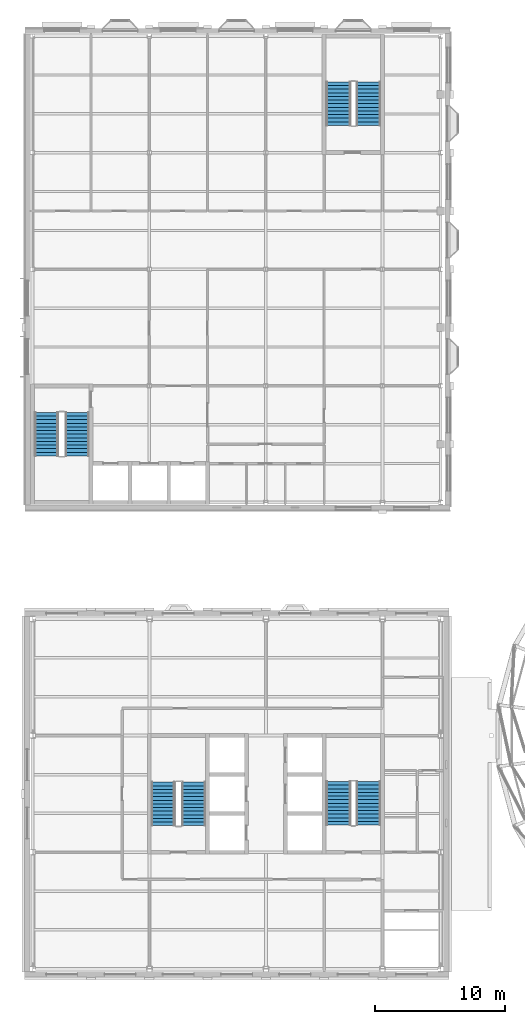
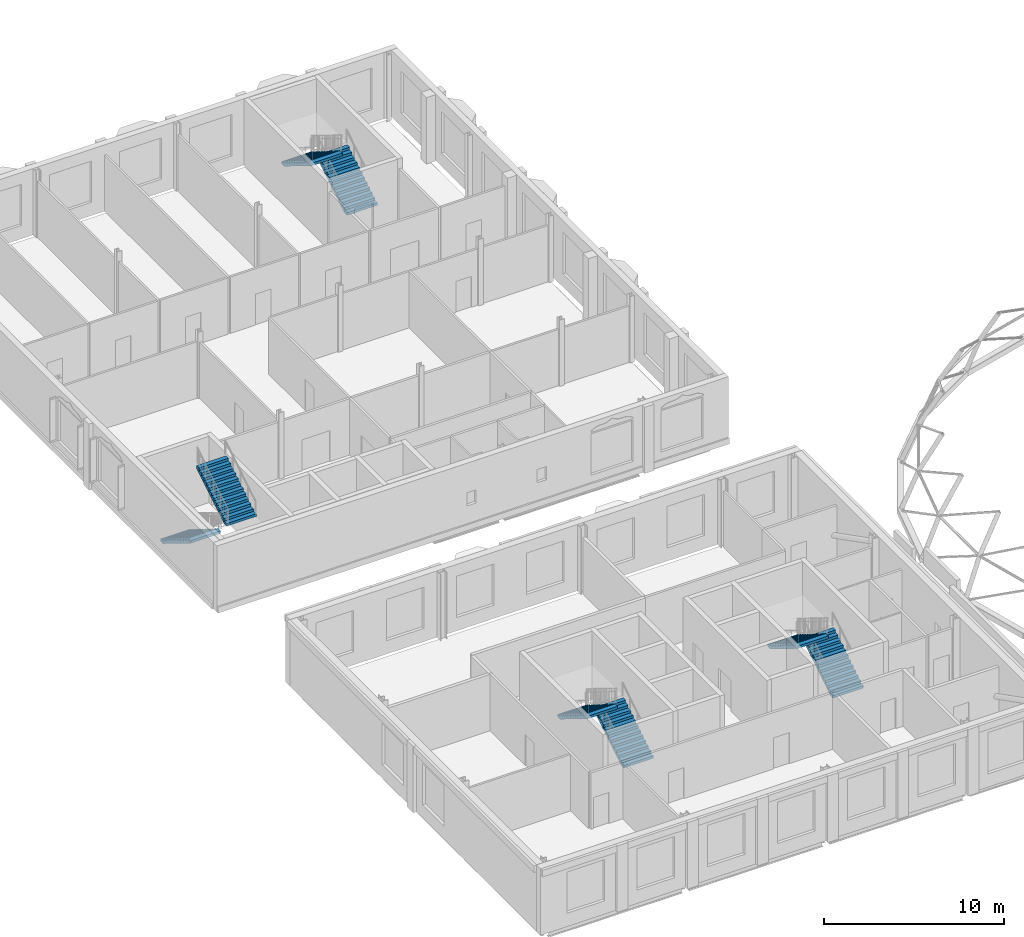
# One storey, part 30 of 59: 8 stair flights, 4 elements without a shape of their own.
"""IFC4 building model written with IfcOpenShell, lengths in metres."""

from ifc_helpers import new_model, si_unit, direction, frame, origin, place, context, subcontext, project, spatial, polyline, outline, extrude, material, layer, layer_set, type_object, element, aggregate, save


model = new_model("IFC4")

# Units and contexts
model_context = context("Model", 3, precision=1e-05, world=origin(), true_north=direction((0.0, 1.0)))
body_context = subcontext(model_context, "Body", "Model", "MODEL_VIEW")
ifc_project = project(units=[si_unit("LENGTHUNIT", "METRE"), si_unit("AREAUNIT", "SQUARE_METRE"), si_unit("VOLUMEUNIT", "CUBIC_METRE"), si_unit("PLANEANGLEUNIT", "RADIAN"), si_unit("MASSUNIT", "GRAM", prefix="KILO")], contexts=[model_context])

# Site, building, storey
site_placement = place(None, origin())
site = spatial("IfcSite", under=ifc_project, at=site_placement, CompositionType="ELEMENT")
building_placement = place(site_placement, origin())
building = spatial("IfcBuilding", under=site, at=building_placement, Name="Hortulan Conservatory and Botanical Research Centre", CompositionType="ELEMENT")
storey_placement = place(building_placement, frame((0.0, 0.0, 10.5)))
storey = spatial("IfcBuildingStorey", under=building, at=storey_placement, Name="L02", CompositionType="ELEMENT", Elevation=10.5)

# Stair, stair flights
ifc_material = material(Name="Concrete N40 (40 MPa, AS 3600)", Category="concrete")
stair_type_1 = type_object("IfcStairType", Name="Concrete Escape Stair 1900", PredefinedType="HALF_TURN_STAIR", material=ifc_material)
stair_1_placement = place(storey_placement, origin())
stair_1 = element("IfcStair", 1, at=stair_1_placement, inside=storey, type_object=stair_type_1, Name="Stair T1 L02", PredefinedType="HALF_TURN_STAIR")
ifc_layer_1 = layer(ifc_material, 0.14990234375)
ifc_layer_set_1 = layer_set([ifc_layer_1], Name="Stair Flight 1900 wide, riser 173")
stair_flight_type_1 = type_object("IfcStairFlightType", Name="Stair Flight 1900 wide, riser 173", PredefinedType="STRAIGHT", material=ifc_layer_set_1)
stair_flight_1_placement = place(storey_placement, frame((12.39990234375, 11.050048828125, 0.0), z_axis=(0.0, 0.0, 1.0), x_axis=(0.0, 1.0, 0.0)))
stair_flight_1 = element("IfcStairFlight", 2, at=stair_flight_1_placement, type_object=stair_flight_type_1, Name="Stair T1 L02 flight 1", NumberOfRisers=13, NumberOfTreads=12, PredefinedType="STRAIGHT", RiserHeight=0.173076923, TreadLength=0.28, context=body_context, shape_type="SweptSolid", body=[
    extrude(outline(polyline([(0.0, 0.0), (0.0, 0.173095703125), (0.280029296875, 0.173095703125), (0.280029296875, 0.34619140625), (0.56005859375, 0.34619140625), (0.56005859375, 0.519287109375), (0.840087890625, 0.519287109375), (0.840087890625, 0.6923828125), (1.1201171875, 0.6923828125), (1.1201171875, 0.865478515625), (1.39990234375, 0.865478515625), (1.39990234375, 1.03857421875), (1.679931640625, 1.03857421875), (1.679931640625, 1.21142578125), (1.9599609375, 1.21142578125), (1.9599609375, 1.384521484375), (2.239990234375, 1.384521484375), (2.239990234375, 1.5576171875), (2.52001953125, 1.5576171875), (2.52001953125, 1.730712890625), (2.800048828125, 1.730712890625), (2.800048828125, 1.90380859375), (3.080078125, 1.90380859375), (3.080078125, 2.076904296875), (3.360107421875, 2.076904296875), (3.360107421875, 2.25), (3.360107421875, 1.900634765625), (0.28515625, 0.0), (0.0, 0.0)])), frame((0.0, 0.949951171875, 0.0), z_axis=(0.0, -1.0, 0.0), x_axis=(1.0, 0.0, 0.0)), (0.0, 0.0, 1.0), 1.89990234375),
])
stair_flight_2_placement = place(storey_placement, frame((10.10009765625, 14.409912109375, 2.25), z_axis=(0.0, 0.0, 1.0), x_axis=(0.0, -1.0, 0.0)))
stair_flight_2 = element("IfcStairFlight", 3, at=stair_flight_2_placement, type_object=stair_flight_type_1, Name="Stair T1 L02 flight 2", NumberOfRisers=13, NumberOfTreads=12, PredefinedType="STRAIGHT", RiserHeight=0.173076923, TreadLength=0.28, context=body_context, shape_type="SweptSolid", body=[
    extrude(outline(polyline([(0.0, 0.0), (0.0, 0.173095703125), (0.280029296875, 0.173095703125), (0.280029296875, 0.34619140625), (0.56005859375, 0.34619140625), (0.56005859375, 0.519287109375), (0.840087890625, 0.519287109375), (0.840087890625, 0.6923828125), (1.1201171875, 0.6923828125), (1.1201171875, 0.865478515625), (1.39990234375, 0.865478515625), (1.39990234375, 1.03857421875), (1.679931640625, 1.03857421875), (1.679931640625, 1.21142578125), (1.9599609375, 1.21142578125), (1.9599609375, 1.384521484375), (2.239990234375, 1.384521484375), (2.239990234375, 1.5576171875), (2.52001953125, 1.5576171875), (2.52001953125, 1.730712890625), (2.800048828125, 1.730712890625), (2.800048828125, 1.90380859375), (3.080078125, 1.90380859375), (3.080078125, 2.076904296875), (3.360107421875, 2.076904296875), (3.360107421875, 2.25), (3.360107421875, 1.900634765625), (0.28515625, 0.0), (0.0, 0.0)])), frame((0.0, 0.949951171875, 0.0), z_axis=(0.0, -1.0, 0.0), x_axis=(1.0, 0.0, 0.0)), (0.0, 0.0, 1.0), 1.89990234375),
])
aggregate(stair_1, [stair_flight_1, stair_flight_2])

stair_2_placement = place(storey_placement, origin())
stair_2 = element("IfcStair", 4, at=stair_2_placement, inside=storey, type_object=stair_type_1, Name="Stair V1 L02", PredefinedType="HALF_TURN_STAIR")
stair_flight_3_placement = place(storey_placement, frame((1.10009765625, 42.949951171875, 0.0), z_axis=(0.0, 0.0, 1.0), x_axis=(0.0, -1.0, 0.0)))
stair_flight_3 = element("IfcStairFlight", 5, at=stair_flight_3_placement, type_object=stair_flight_type_1, Name="Stair V1 L02 flight 1", NumberOfRisers=13, NumberOfTreads=12, PredefinedType="STRAIGHT", RiserHeight=0.173076923, TreadLength=0.28, context=body_context, shape_type="SweptSolid", body=[
    extrude(outline(polyline([(0.0, 0.0), (0.0, 0.173095703125), (0.280029296875, 0.173095703125), (0.280029296875, 0.34619140625), (0.56005859375, 0.34619140625), (0.56005859375, 0.519287109375), (0.840087890625, 0.519287109375), (0.840087890625, 0.6923828125), (1.1201171875, 0.6923828125), (1.1201171875, 0.865478515625), (1.39990234375, 0.865478515625), (1.39990234375, 1.03857421875), (1.679931640625, 1.03857421875), (1.679931640625, 1.21142578125), (1.9599609375, 1.21142578125), (1.9599609375, 1.384521484375), (2.239990234375, 1.384521484375), (2.239990234375, 1.5576171875), (2.52001953125, 1.5576171875), (2.52001953125, 1.730712890625), (2.800048828125, 1.730712890625), (2.800048828125, 1.90380859375), (3.080078125, 1.90380859375), (3.080078125, 2.076904296875), (3.360107421875, 2.076904296875), (3.360107421875, 2.25), (3.360107421875, 1.900634765625), (0.28515625, 0.0), (0.0, 0.0)])), frame((0.0, 0.949951171875, 0.0), z_axis=(0.0, -1.0, 0.0), x_axis=(1.0, 0.0, 0.0)), (0.0, 0.0, 1.0), 1.89990234375),
])
stair_flight_4_placement = place(storey_placement, frame((3.39990234375, 39.590087890625, 2.25), z_axis=(0.0, 0.0, 1.0), x_axis=(0.0, 1.0, 0.0)))
stair_flight_4 = element("IfcStairFlight", 6, at=stair_flight_4_placement, type_object=stair_flight_type_1, Name="Stair V1 L02 flight 2", NumberOfRisers=13, NumberOfTreads=12, PredefinedType="STRAIGHT", RiserHeight=0.173076923, TreadLength=0.28, context=body_context, shape_type="SweptSolid", body=[
    extrude(outline(polyline([(0.0, 0.0), (0.0, 0.173095703125), (0.280029296875, 0.173095703125), (0.280029296875, 0.34619140625), (0.56005859375, 0.34619140625), (0.56005859375, 0.519287109375), (0.840087890625, 0.519287109375), (0.840087890625, 0.6923828125), (1.1201171875, 0.6923828125), (1.1201171875, 0.865478515625), (1.39990234375, 0.865478515625), (1.39990234375, 1.03857421875), (1.679931640625, 1.03857421875), (1.679931640625, 1.21142578125), (1.9599609375, 1.21142578125), (1.9599609375, 1.384521484375), (2.239990234375, 1.384521484375), (2.239990234375, 1.5576171875), (2.52001953125, 1.5576171875), (2.52001953125, 1.730712890625), (2.800048828125, 1.730712890625), (2.800048828125, 1.90380859375), (3.080078125, 1.90380859375), (3.080078125, 2.076904296875), (3.360107421875, 2.076904296875), (3.360107421875, 2.25), (3.360107421875, 1.900634765625), (0.28515625, 0.0), (0.0, 0.0)])), frame((0.0, 0.949951171875, 0.0), z_axis=(0.0, -1.0, 0.0), x_axis=(1.0, 0.0, 0.0)), (0.0, 0.0, 1.0), 1.89990234375),
])
aggregate(stair_2, [stair_flight_3, stair_flight_4])

stair_type_2 = type_object("IfcStairType", Name="Concrete Escape Stair 1950", PredefinedType="HALF_TURN_STAIR", material=ifc_material)
stair_3_placement = place(storey_placement, origin())
stair_3 = element("IfcStair", 7, at=stair_3_placement, inside=storey, type_object=stair_type_2, Name="Stair T2 L02", PredefinedType="HALF_TURN_STAIR")
ifc_layer_2 = layer(ifc_material, 0.14990234375)
ifc_layer_set_2 = layer_set([ifc_layer_2], Name="Stair Flight 1950 wide, riser 173")
stair_flight_type_2 = type_object("IfcStairFlightType", Name="Stair Flight 1950 wide, riser 173", PredefinedType="STRAIGHT", material=ifc_layer_set_2)
stair_flight_5_placement = place(storey_placement, frame((25.875, 11.10009765625, 0.0), z_axis=(0.0, 0.0, 1.0), x_axis=(0.0, 1.0, 0.0)))
stair_flight_5 = element("IfcStairFlight", 8, at=stair_flight_5_placement, type_object=stair_flight_type_2, Name="Stair T2 L02 flight 1", NumberOfRisers=13, NumberOfTreads=12, PredefinedType="STRAIGHT", RiserHeight=0.173076923, TreadLength=0.28, context=body_context, shape_type="SweptSolid", body=[
    extrude(outline(polyline([(0.0, 0.0), (0.0, 0.173095703125), (0.280029296875, 0.173095703125), (0.280029296875, 0.34619140625), (0.56005859375, 0.34619140625), (0.56005859375, 0.519287109375), (0.840087890625, 0.519287109375), (0.840087890625, 0.6923828125), (1.1201171875, 0.6923828125), (1.1201171875, 0.865478515625), (1.39990234375, 0.865478515625), (1.39990234375, 1.03857421875), (1.679931640625, 1.03857421875), (1.679931640625, 1.21142578125), (1.9599609375, 1.21142578125), (1.9599609375, 1.384521484375), (2.239990234375, 1.384521484375), (2.239990234375, 1.5576171875), (2.52001953125, 1.5576171875), (2.52001953125, 1.730712890625), (2.800048828125, 1.730712890625), (2.800048828125, 1.90380859375), (3.080078125, 1.90380859375), (3.080078125, 2.076904296875), (3.360107421875, 2.076904296875), (3.360107421875, 2.25), (3.360107421875, 1.900634765625), (0.28515625, 0.0), (0.0, 0.0)])), frame((0.0, 0.97509765625, 0.0), z_axis=(0.0, -1.0, 0.0), x_axis=(1.0, 0.0, 0.0)), (0.0, 0.0, 1.0), 1.949951171875),
])
stair_flight_6_placement = place(storey_placement, frame((23.625, 14.4599609375, 2.25), z_axis=(0.0, 0.0, 1.0), x_axis=(0.0, -1.0, 0.0)))
stair_flight_6 = element("IfcStairFlight", 9, at=stair_flight_6_placement, type_object=stair_flight_type_2, Name="Stair T2 L02 flight 2", NumberOfRisers=13, NumberOfTreads=12, PredefinedType="STRAIGHT", RiserHeight=0.173076923, TreadLength=0.28, context=body_context, shape_type="SweptSolid", body=[
    extrude(outline(polyline([(0.0, 0.0), (0.0, 0.173095703125), (0.280029296875, 0.173095703125), (0.280029296875, 0.34619140625), (0.56005859375, 0.34619140625), (0.56005859375, 0.519287109375), (0.840087890625, 0.519287109375), (0.840087890625, 0.6923828125), (1.1201171875, 0.6923828125), (1.1201171875, 0.865478515625), (1.39990234375, 0.865478515625), (1.39990234375, 1.03857421875), (1.679931640625, 1.03857421875), (1.679931640625, 1.21142578125), (1.9599609375, 1.21142578125), (1.9599609375, 1.384521484375), (2.239990234375, 1.384521484375), (2.239990234375, 1.5576171875), (2.52001953125, 1.5576171875), (2.52001953125, 1.730712890625), (2.800048828125, 1.730712890625), (2.800048828125, 1.90380859375), (3.080078125, 1.90380859375), (3.080078125, 2.076904296875), (3.360107421875, 2.076904296875), (3.360107421875, 2.25), (3.360107421875, 1.900634765625), (0.28515625, 0.0), (0.0, 0.0)])), frame((0.0, 0.97509765625, 0.0), z_axis=(0.0, -1.0, 0.0), x_axis=(1.0, 0.0, 0.0)), (0.0, 0.0, 1.0), 1.949951171875),
])
aggregate(stair_3, [stair_flight_5, stair_flight_6])

stair_4_placement = place(storey_placement, origin())
stair_4 = element("IfcStair", 10, at=stair_4_placement, inside=storey, type_object=stair_type_2, Name="Stair V2 L02", PredefinedType="HALF_TURN_STAIR")
stair_flight_7_placement = place(storey_placement, frame((25.875, 65.10009765625, 0.0), z_axis=(0.0, 0.0, 1.0), x_axis=(0.0, 1.0, 0.0)))
stair_flight_7 = element("IfcStairFlight", 11, at=stair_flight_7_placement, type_object=stair_flight_type_2, Name="Stair V2 L02 flight 1", NumberOfRisers=13, NumberOfTreads=12, PredefinedType="STRAIGHT", RiserHeight=0.173076923, TreadLength=0.28, context=body_context, shape_type="SweptSolid", body=[
    extrude(outline(polyline([(0.0, 0.0), (0.0, 0.173095703125), (0.280029296875, 0.173095703125), (0.280029296875, 0.34619140625), (0.56005859375, 0.34619140625), (0.56005859375, 0.519287109375), (0.840087890625, 0.519287109375), (0.840087890625, 0.6923828125), (1.1201171875, 0.6923828125), (1.1201171875, 0.865478515625), (1.39990234375, 0.865478515625), (1.39990234375, 1.03857421875), (1.679931640625, 1.03857421875), (1.679931640625, 1.21142578125), (1.9599609375, 1.21142578125), (1.9599609375, 1.384521484375), (2.239990234375, 1.384521484375), (2.239990234375, 1.5576171875), (2.52001953125, 1.5576171875), (2.52001953125, 1.730712890625), (2.800048828125, 1.730712890625), (2.800048828125, 1.90380859375), (3.080078125, 1.90380859375), (3.080078125, 2.076904296875), (3.360107421875, 2.076904296875), (3.360107421875, 2.25), (3.360107421875, 1.900634765625), (0.28515625, 0.0), (0.0, 0.0)])), frame((0.0, 0.97509765625, 0.0), z_axis=(0.0, -1.0, 0.0), x_axis=(1.0, 0.0, 0.0)), (0.0, 0.0, 1.0), 1.949951171875),
])
stair_flight_8_placement = place(storey_placement, frame((23.625, 68.4599609375, 2.25), z_axis=(0.0, 0.0, 1.0), x_axis=(0.0, -1.0, 0.0)))
stair_flight_8 = element("IfcStairFlight", 12, at=stair_flight_8_placement, type_object=stair_flight_type_2, Name="Stair V2 L02 flight 2", NumberOfRisers=13, NumberOfTreads=12, PredefinedType="STRAIGHT", RiserHeight=0.173076923, TreadLength=0.28, context=body_context, shape_type="SweptSolid", body=[
    extrude(outline(polyline([(0.0, 0.0), (0.0, 0.173095703125), (0.280029296875, 0.173095703125), (0.280029296875, 0.34619140625), (0.56005859375, 0.34619140625), (0.56005859375, 0.519287109375), (0.840087890625, 0.519287109375), (0.840087890625, 0.6923828125), (1.1201171875, 0.6923828125), (1.1201171875, 0.865478515625), (1.39990234375, 0.865478515625), (1.39990234375, 1.03857421875), (1.679931640625, 1.03857421875), (1.679931640625, 1.21142578125), (1.9599609375, 1.21142578125), (1.9599609375, 1.384521484375), (2.239990234375, 1.384521484375), (2.239990234375, 1.5576171875), (2.52001953125, 1.5576171875), (2.52001953125, 1.730712890625), (2.800048828125, 1.730712890625), (2.800048828125, 1.90380859375), (3.080078125, 1.90380859375), (3.080078125, 2.076904296875), (3.360107421875, 2.076904296875), (3.360107421875, 2.25), (3.360107421875, 1.900634765625), (0.28515625, 0.0), (0.0, 0.0)])), frame((0.0, 0.97509765625, 0.0), z_axis=(0.0, -1.0, 0.0), x_axis=(1.0, 0.0, 0.0)), (0.0, 0.0, 1.0), 1.949951171875),
])
aggregate(stair_4, [stair_flight_7, stair_flight_8])

save(model, "model.ifc")
